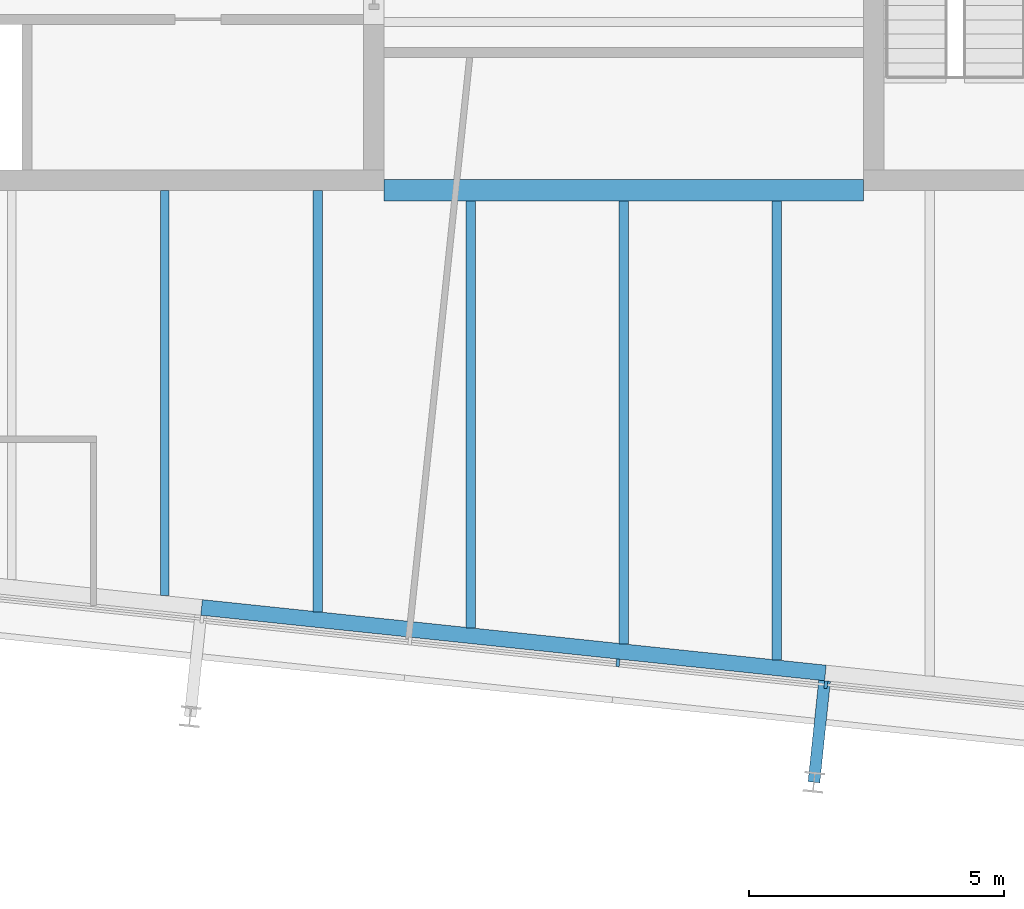
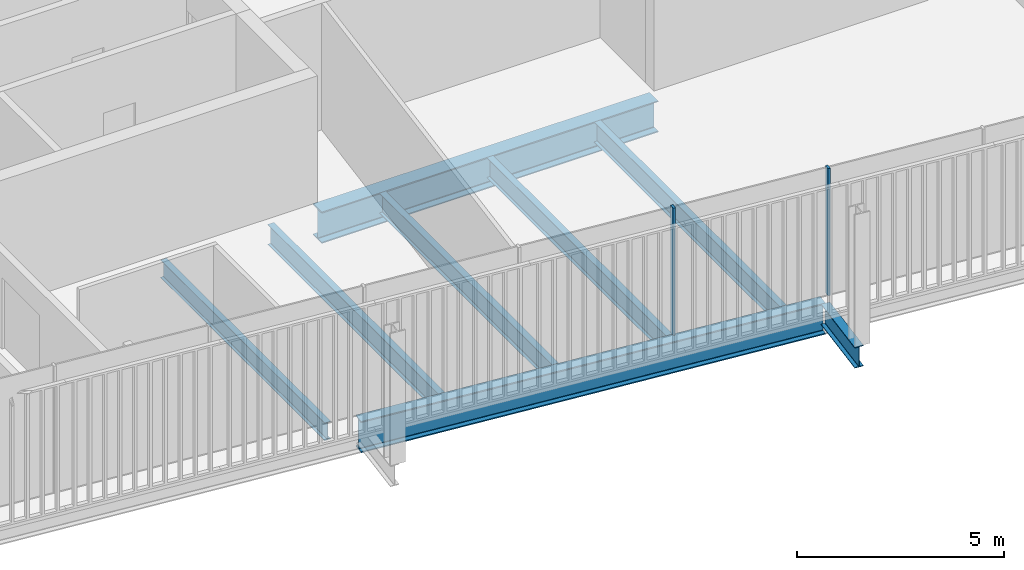
# One storey, part 5 of 20: 8 beams, 2 members, 1 element without a shape of its own.
"""IFC4 building model written with IfcOpenShell, lengths in metres."""

from ifc_helpers import new_model, si_unit, direction, frame, origin, origin_2d, place, context, subcontext, project, spatial, rectangle, i_section, extrude, material, layer, layer_set, material_profile, profile_set, type_object, element, aggregate, save


model = new_model("IFC4")

# Units and contexts
model_context = context("Model", 3, precision=1e-05, world=origin(), true_north=direction((0.0, 1.0)))
body_context = subcontext(model_context, "Body", "Model", "MODEL_VIEW")
ifc_project = project(units=[si_unit("LENGTHUNIT", "METRE"), si_unit("AREAUNIT", "SQUARE_METRE"), si_unit("VOLUMEUNIT", "CUBIC_METRE"), si_unit("PLANEANGLEUNIT", "RADIAN"), si_unit("MASSUNIT", "GRAM", prefix="KILO")], contexts=[model_context])

# Site, building, storey
site_placement = place(None, origin())
site = spatial("IfcSite", under=ifc_project, at=site_placement, CompositionType="ELEMENT")
building_placement = place(site_placement, origin())
building = spatial("IfcBuilding", under=site, at=building_placement, Name="Millrace Tower", CompositionType="ELEMENT")
storey_placement = place(building_placement, frame((0.0, 0.0, 279.89990234375)))
storey = spatial("IfcBuildingStorey", under=building, at=storey_placement, Name="L64", CompositionType="ELEMENT", Elevation=279.89990234375)

# Curtain wall, members
ifc_material_1 = material(Name="Aluminium and glass", Category="aluminium")
ifc_layer = layer(ifc_material_1, 0.14990234375)
ifc_layer_set = layer_set([ifc_layer], Name="Aluminium and glass")
curtain_wall_type = type_object("IfcCurtainWallType", Name="CW-1 office vision curtain wall", PredefinedType="NOTDEFINED", material=ifc_layer_set)
curtain_wall_placement = place(storey_placement, origin())
curtain_wall = element("IfcCurtainWall", 1, at=curtain_wall_placement, inside=storey, type_object=curtain_wall_type, Name="Curtain wall E-F02 L64", PredefinedType="NOTDEFINED")
ifc_material_2 = material(Name="Aluminium", Category="aluminium")
ifc_material_profile_1 = material_profile(ifc_material_2, rectangle(XDim=0.06494140625, YDim=0.14990234375, at=origin_2d()))
ifc_profile_set_1 = profile_set([ifc_material_profile_1], Name="Aluminium")
member_type = type_object("IfcMemberType", Name="CW-1 office vision curtain wall mullion", PredefinedType="MULLION", material=ifc_profile_set_1)
member_1_placement = place(storey_placement, frame((-0.11474609375, -18.567626953125, 0.14013671875), z_axis=(0.0, 0.0, 1.0), x_axis=(0.994521896217, -0.104528455196, 0.0)))
member_1 = element("IfcMember", 2, at=member_1_placement, type_object=member_type, Name="CW1 mullion E-F02.6", PredefinedType="MULLION", context=body_context, shape_type="SweptSolid", body=[
    extrude(rectangle(XDim=0.06494140625, YDim=0.14990234375, at=origin_2d()), origin(), (0.0, 0.0, 1.0), 3.760009765625),
])
member_2_placement = place(storey_placement, frame((3.962890625, -18.99609375, 0.14013671875), z_axis=(0.0, 0.0, 1.0), x_axis=(0.994521896217, -0.104528455196, 0.0)))
member_2 = element("IfcMember", 3, at=member_2_placement, type_object=member_type, Name="CW1 mullion E-F02.7", PredefinedType="MULLION", context=body_context, shape_type="SweptSolid", body=[
    extrude(rectangle(XDim=0.06494140625, YDim=0.14990234375, at=origin_2d()), origin(), (0.0, 0.0, 1.0), 3.760009765625),
])
aggregate(curtain_wall, [member_1, member_2])

# Beams
ifc_material_3 = material(Name="Steel ASTM A992 Grade 50", Category="steel")
ifc_material_profile_2 = material_profile(ifc_material_3, i_section(OverallWidth=0.1650390625, OverallDepth=0.52587890625, WebThickness=0.0087890625, FlangeThickness=0.011474609375, FilletRadius=0.0126953125, at=origin_2d()))
ifc_profile_set_2 = profile_set([ifc_material_profile_2], Name="Steel ASTM A992 Grade 50")
beam_type_1 = type_object("IfcBeamType", Name="Floor beam W21x44", PredefinedType="JOIST", material=ifc_profile_set_2)
beam_1_placement = place(storey_placement, frame((-9.0, -17.249267578125, -0.4228515625), z_axis=(0.0, 1.0, 0.0), x_axis=(-1.0, 0.0, 0.0)))
element("IfcBeam", 4, at=beam_1_placement, inside=storey, type_object=beam_type_1, Name="BM-E-L64-S1-S039", PredefinedType="JOIST", context=body_context, shape_type="SweptSolid", body=[
    extrude(i_section(OverallWidth=0.1650390625, OverallDepth=0.52587890625, WebThickness=0.0087890625, FlangeThickness=0.011474609375, FilletRadius=0.0126953125, at=origin_2d()), origin(), (0.0, 0.0, 1.0), 7.94921875),
])
ifc_material_4 = material(Name="Steel ASTM A992 Grade 50", Category="steel")
ifc_material_profile_3 = material_profile(ifc_material_4, i_section(OverallWidth=0.177978515625, OverallDepth=0.599365234375, WebThickness=0.010009765625, FlangeThickness=0.012939453125, FilletRadius=0.012939453125, at=origin_2d()))
ifc_profile_set_3 = profile_set([ifc_material_profile_3], Name="Steel ASTM A992 Grade 50")
beam_type_2 = type_object("IfcBeamType", Name="Floor beam W24x55", PredefinedType="JOIST", material=ifc_profile_set_3)
beam_2_placement = place(storey_placement, frame((-6.0, -17.564697265625, -0.459716796875), z_axis=(0.0, 1.0, 0.0), x_axis=(-1.0, 0.0, 0.0)))
element("IfcBeam", 5, at=beam_2_placement, inside=storey, type_object=beam_type_2, Name="BM-E-L64-S1-S041", PredefinedType="JOIST", context=body_context, shape_type="SweptSolid", body=[
    extrude(i_section(OverallWidth=0.177978515625, OverallDepth=0.599365234375, WebThickness=0.010009765625, FlangeThickness=0.012939453125, FilletRadius=0.012939453125, at=origin_2d()), origin(), (0.0, 0.0, 1.0), 8.2646484375),
])
beam_3_placement = place(storey_placement, frame((-3.0, -17.8798828125, -0.459716796875), z_axis=(0.0, 1.0, 0.0), x_axis=(-1.0, 0.0, 0.0)))
element("IfcBeam", 6, at=beam_3_placement, inside=storey, type_object=beam_type_2, Name="BM-E-L64-S1-S043", PredefinedType="JOIST", context=body_context, shape_type="SweptSolid", body=[
    extrude(i_section(OverallWidth=0.177978515625, OverallDepth=0.599365234375, WebThickness=0.010009765625, FlangeThickness=0.012939453125, FilletRadius=0.012939453125, at=origin_2d()), origin(), (0.0, 0.0, 1.0), 8.370361328125),
])
beam_4_placement = place(storey_placement, frame((0.0, -18.1953125, -0.459716796875), z_axis=(0.0, 1.0, 0.0), x_axis=(-1.0, 0.0, 0.0)))
element("IfcBeam", 7, at=beam_4_placement, inside=storey, type_object=beam_type_2, Name="BM-E-L64-S1-S045", PredefinedType="JOIST", context=body_context, shape_type="SweptSolid", body=[
    extrude(i_section(OverallWidth=0.177978515625, OverallDepth=0.599365234375, WebThickness=0.010009765625, FlangeThickness=0.012939453125, FilletRadius=0.012939453125, at=origin_2d()), origin(), (0.0, 0.0, 1.0), 8.685791015625),
])
beam_5_placement = place(storey_placement, frame((3.0, -18.510498046875, -0.459716796875), z_axis=(0.0, 1.0, 0.0), x_axis=(-1.0, 0.0, 0.0)))
element("IfcBeam", 8, at=beam_5_placement, inside=storey, type_object=beam_type_2, Name="BM-E-L64-S1-S047", PredefinedType="JOIST", context=body_context, shape_type="SweptSolid", body=[
    extrude(i_section(OverallWidth=0.177978515625, OverallDepth=0.599365234375, WebThickness=0.010009765625, FlangeThickness=0.012939453125, FilletRadius=0.012939453125, at=origin_2d()), origin(), (0.0, 0.0, 1.0), 9.0009765625),
])
ifc_material_5 = material(Name="Steel ASTM A992 Grade 50", Category="steel")
ifc_material_profile_4 = material_profile(ifc_material_5, i_section(OverallWidth=0.419189453125, OverallDepth=0.927001953125, WebThickness=0.019287109375, FlangeThickness=0.031982421875, FilletRadius=0.024169921875, at=origin_2d()))
ifc_profile_set_4 = profile_set([ifc_material_profile_4], Name="Steel ASTM A992 Grade 50")
beam_type_3 = type_object("IfcBeamType", Name="Girder short span W36x231", PredefinedType="BEAM", material=ifc_profile_set_4)
beam_6_placement = place(storey_placement, frame((-4.699951171875, -9.300048828125, -0.62353515625), z_axis=(1.0, 0.0, 0.0), x_axis=(0.0, 1.0, 0.0)))
element("IfcBeam", 9, at=beam_6_placement, inside=storey, type_object=beam_type_3, Name="BM-E-L64-S1-G059", PredefinedType="BEAM", context=body_context, shape_type="SweptSolid", body=[
    extrude(i_section(OverallWidth=0.419189453125, OverallDepth=0.927001953125, WebThickness=0.019287109375, FlangeThickness=0.031982421875, FilletRadius=0.024169921875, at=origin_2d()), origin(), (0.0, 0.0, 1.0), 9.39990234375),
])
ifc_material_6 = material(Name="Steel ASTM A992 Grade 50", Category="steel")
ifc_material_profile_5 = material_profile(ifc_material_6, i_section(OverallWidth=0.23046875, OverallDepth=0.6171875, WebThickness=0.01318359375, FlangeThickness=0.022216796875, FilletRadius=0.012939453125, at=origin_2d()))
ifc_profile_set_5 = profile_set([ifc_material_profile_5], Name="Steel ASTM A992 Grade 50")
beam_type_4 = type_object("IfcBeamType", Name="Link beam W24x94", PredefinedType="BEAM", material=ifc_profile_set_5)
beam_7_placement = place(storey_placement, frame((3.938232421875, -18.918212890625, -0.468505859375), z_axis=(-0.104494148666, -0.99452550138, 0.0), x_axis=(0.99452550138, -0.104494148666, 0.0)))
element("IfcBeam", 10, at=beam_7_placement, inside=storey, type_object=beam_type_4, Name="LNK-E-L64-S1-14", PredefinedType="BEAM", context=body_context, shape_type="SweptSolid", body=[
    extrude(i_section(OverallWidth=0.23046875, OverallDepth=0.6171875, WebThickness=0.01318359375, FlangeThickness=0.022216796875, FilletRadius=0.012939453125, at=origin_2d()), origin(), (0.0, 0.0, 1.0), 2.0),
])
ifc_material_7 = material(Name="Steel ASTM A992 Grade 50", Category="steel")
ifc_material_profile_6 = material_profile(ifc_material_7, i_section(OverallWidth=0.307373046875, OverallDepth=0.927001953125, WebThickness=0.01953125, FlangeThickness=0.031982421875, FilletRadius=0.01904296875, at=origin_2d()))
ifc_profile_set_6 = profile_set([ifc_material_profile_6], Name="Steel ASTM A992 Grade 50")
beam_type_5 = type_object("IfcBeamType", Name="Ring beam medium span W36x194", PredefinedType="SPANDREL", material=ifc_profile_set_6)
beam_8_placement = place(storey_placement, frame((3.954345703125, -18.765380859375, -0.62353515625), z_axis=(-0.994522406476, 0.104523600289, 0.0), x_axis=(-0.104523600289, -0.994522406476, 0.0)))
element("IfcBeam", 11, at=beam_8_placement, inside=storey, type_object=beam_type_5, Name="RNG-E-L64-S1-14", PredefinedType="SPANDREL", context=body_context, shape_type="SweptSolid", body=[
    extrude(i_section(OverallWidth=0.307373046875, OverallDepth=0.927001953125, WebThickness=0.01953125, FlangeThickness=0.031982421875, FilletRadius=0.01904296875, at=origin_2d()), origin(), (0.0, 0.0, 1.0), 12.300048828125),
])

save(model, "model.ifc")
